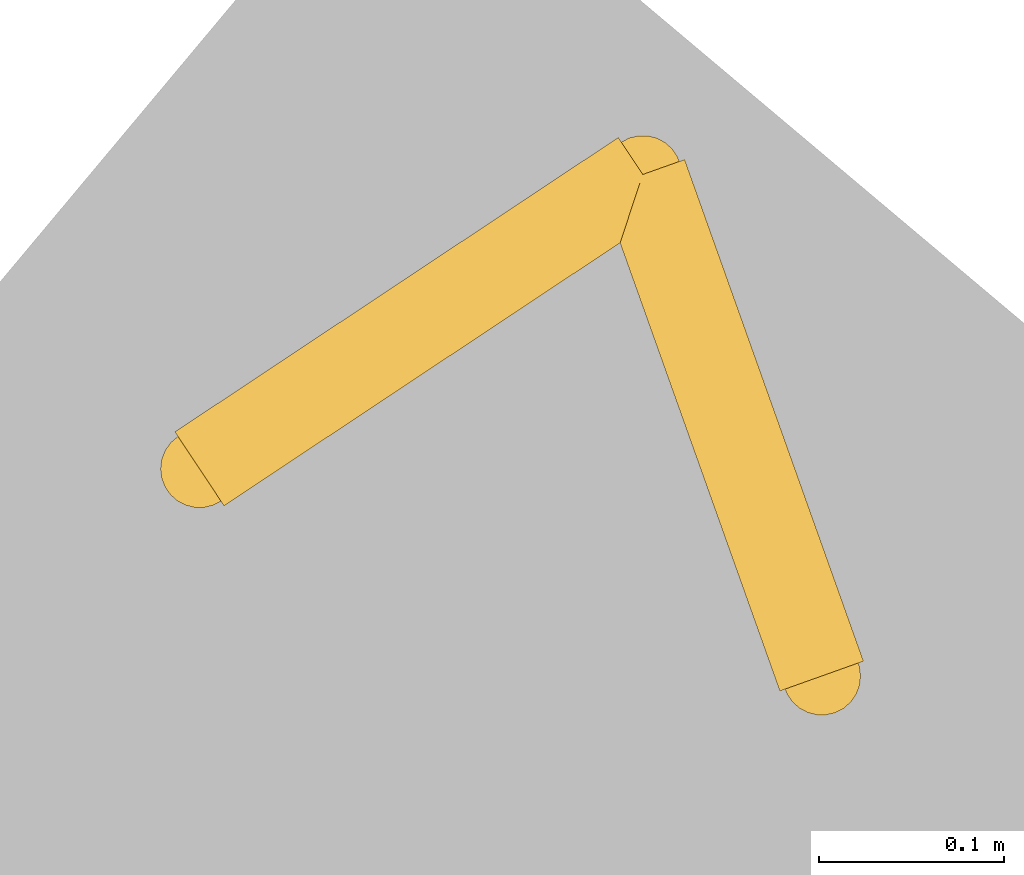
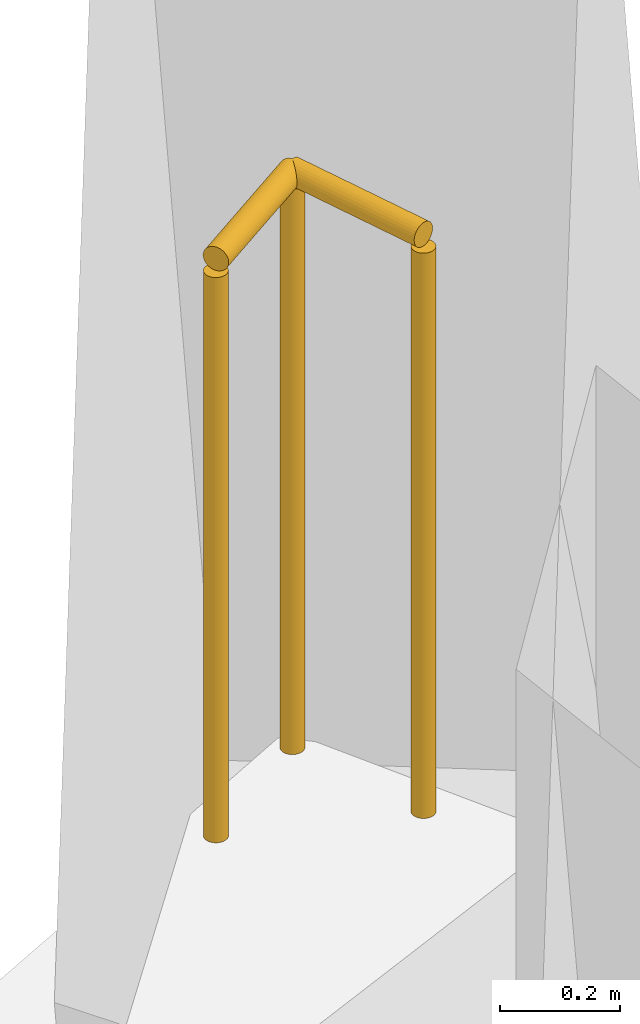
# One storey, part 16 of 16: 1 railing.
"""IFC4 building model written with IfcOpenShell, lengths in metres."""

import ifcopenshell
import ifcopenshell.guid

model = None  # the IFC model being written
_history = None  # IfcOwnerHistory: only IFC2X3 demands one
_inside = {}  # id of a spatial element -> (the spatial element, [elements in it])
_under = {}  # id of a project, library or spatial element -> (it, [spatial elements below it])
_declared = {}  # id of a project -> (the project, [libraries it declares])
_typed = {}  # id of a type object -> (the type object, [elements of that type])
_made_of = {}  # id of a material, layer set ... -> (it, [elements and type objects made of it])


def new_model(schema):
    """Start an empty IFC model of exactly this schema.

    Asked for "IFC4X3", IfcOpenShell would pick the latest addendum, in which some entities
    have other attributes; the version numbers below select the first issue.
    IFC2X3 requires an IfcOwnerHistory on every rooted entity: one is made here for all.
    """
    global model, _history
    if schema == "IFC4X3":
        model = ifcopenshell.file(schema_version=(4, 3, 0, 0))
    else:
        model = ifcopenshell.file(schema=schema)
    _inside.clear()
    _under.clear()
    _declared.clear()
    _typed.clear()
    _made_of.clear()
    _history = None
    if model.schema == "IFC2X3":
        org = make("IfcOrganization", Name="unknown")
        user = make(
            "IfcPersonAndOrganization",
            ThePerson=make("IfcPerson", FamilyName="unknown"),
            TheOrganization=org,
        )
        app = make(
            "IfcApplication",
            ApplicationDeveloper=org,
            Version="unknown",
            ApplicationFullName="unknown",
            ApplicationIdentifier="unknown",
        )
        _history = make(
            "IfcOwnerHistory",
            OwningUser=user,
            OwningApplication=app,
            ChangeAction="ADDED",
            CreationDate=0,
        )
    return model


def make(cls, **values):
    """One entity of the class cls with the attributes given. An attribute that is None is left unset."""
    return model.create_entity(
        cls, **{name: value for name, value in values.items() if value is not None}
    )


def rooted(cls, **values):
    """An entity with a GlobalId (a new one), such as an element, a storey or a relation."""
    return make(cls, GlobalId=ifcopenshell.guid.new(), OwnerHistory=_history, **values)


def si_unit(unit_type, name, prefix=None):
    """IfcSIUnit, for example si_unit("LENGTHUNIT", "METRE", prefix="MILLI")."""
    return make("IfcSIUnit", UnitType=unit_type, Prefix=prefix, Name=name)


def assignment(units):
    """IfcUnitAssignment: the units of a project."""
    return None if units is None else make("IfcUnitAssignment", Units=units)


def point(xyz):
    """IfcCartesianPoint."""
    return None if xyz is None else make("IfcCartesianPoint", Coordinates=xyz)


def direction(xyz):
    """IfcDirection."""
    return None if xyz is None else make("IfcDirection", DirectionRatios=xyz)


def frame(location, z_axis=None, x_axis=None):
    """IfcAxis2Placement3D, a coordinate frame: its origin and axes. An axis left out is left unset."""
    return make(
        "IfcAxis2Placement3D",
        Location=point(location),
        Axis=direction(z_axis),
        RefDirection=direction(x_axis),
    )


def frame_2d(location, x_axis=None):
    """IfcAxis2Placement2D, a coordinate frame in the plane: its origin and x axis."""
    return make(
        "IfcAxis2Placement2D", Location=point(location), RefDirection=direction(x_axis)
    )


def origin():
    """The frame at (0, 0, 0) with its axes left unset."""
    return frame((0.0, 0.0, 0.0))


def origin_2d():
    """The frame at (0, 0) in the plane with its x axis left unset."""
    return frame_2d((0.0, 0.0))


def place(relative_to, where):
    """IfcLocalPlacement: puts the frame where relative to a parent placement (None: the world)."""
    return make(
        "IfcLocalPlacement", PlacementRelTo=relative_to, RelativePlacement=where
    )


def context(
    kind, dimensions, precision=None, world=None, true_north=None, identifier=None
):
    """IfcGeometricRepresentationContext, for example the 3D "Model" context."""
    return make(
        "IfcGeometricRepresentationContext",
        ContextIdentifier=identifier,
        ContextType=kind,
        CoordinateSpaceDimension=dimensions,
        Precision=precision,
        WorldCoordinateSystem=world,
        TrueNorth=true_north,
    )


def subcontext(parent, identifier, kind, view, scale=None):
    """IfcGeometricRepresentationSubContext, for example "Body" below "Model"."""
    return make(
        "IfcGeometricRepresentationSubContext",
        ContextIdentifier=identifier,
        ContextType=kind,
        ParentContext=parent,
        TargetScale=scale,
        TargetView=view,
    )


def project(units=None, contexts=None):
    """IfcProject with its units and contexts."""
    return rooted(
        "IfcProject",
        Name="project",
        RepresentationContexts=contexts,
        UnitsInContext=assignment(units),
    )


def spatial(cls, under=None, at=None, **own):
    """A site, building, storey or space (cls), placed at a placement, below another one or the project."""
    s = rooted(cls, ObjectPlacement=at, **own)
    if under is not None:
        _under.setdefault(under.id(), (under, []))[1].append(s)
    return s


def profile(cls, at=None, kind="AREA", **sizes):
    """A parametric profile (cls). Its sizes go by their IFC names, for example OverallWidth=200.0."""
    return make(cls, ProfileType=kind, Position=at, **sizes)


def circle(**sizes):
    """IfcCircleProfileDef."""
    return profile("IfcCircleProfileDef", **sizes)


def extrude(swept, where, along, depth):
    """IfcExtrudedAreaSolid: the profile swept, set in the frame where, extruded along a direction by depth."""
    return make(
        "IfcExtrudedAreaSolid",
        SweptArea=swept,
        Position=where,
        ExtrudedDirection=direction(along),
        Depth=depth,
    )


def shape(context_of_items, identifier, shape_type, items):
    """IfcShapeRepresentation: the items that make up one representation, for example the "Body"."""
    return make(
        "IfcShapeRepresentation",
        ContextOfItems=context_of_items,
        RepresentationIdentifier=identifier,
        RepresentationType=shape_type,
        Items=items,
    )


def material(Name=None, Category=None):
    """IfcMaterial."""
    return make("IfcMaterial", Name=Name, Category=Category)


def layer(
    of_material, thickness, ventilated=None, Name=None, Category=None, Priority=None
):
    """IfcMaterialLayer: one layer of a wall or slab, of a material (None: an air gap)."""
    return make(
        "IfcMaterialLayer",
        Material=of_material,
        LayerThickness=thickness,
        IsVentilated=ventilated,
        Name=Name,
        Category=Category,
        Priority=Priority,
    )


def layer_set(layers, Name=None):
    """IfcMaterialLayerSet."""
    return make("IfcMaterialLayerSet", MaterialLayers=layers, LayerSetName=Name)


def made_of(thing, what):
    """Note that an element or type object is made of a material, layer set ...; save() writes the relation."""
    if what is not None:
        _made_of.setdefault(what.id(), (what, []))[1].append(thing)
    return thing


def type_object(cls, material=None, **own):
    """A type object (cls), such as IfcWallType, which elements share."""
    return made_of(rooted(cls, **own), material)


def element(
    cls,
    number,
    at=None,
    inside=None,
    cuts=None,
    type_object=None,
    material=None,
    context=None,
    identifier="Body",
    shape_type=None,
    held_by="IfcProductDefinitionShape",
    body=None,
    shapes=None,
    **own,
):
    """One element of the class cls, such as IfcWall. Its Tag is "e" and its number.

    at: its placement. inside: the storey or other place that contains it. cuts: it is an
    opening in that element (IfcRelVoidsElement). A single representation is given by context,
    identifier, shape_type and body (its items); several are given by shapes. held_by: the class
    of the entity that holds the representations. save() writes the other relations.
    """
    e = rooted(cls, Tag="e%d" % number, ObjectPlacement=at, **own)
    if body is not None:
        shapes = [shape(context, identifier, shape_type, body)]
    if shapes is not None:
        e.Representation = make(held_by, Representations=shapes)
    if inside is not None:
        _inside.setdefault(inside.id(), (inside, []))[1].append(e)
    if cuts is not None:
        rooted(
            "IfcRelVoidsElement", RelatingBuildingElement=cuts, RelatedOpeningElement=e
        )
    if type_object is not None:
        _typed.setdefault(type_object.id(), (type_object, []))[1].append(e)
    return made_of(e, material)


def aggregate(whole, parts):
    """IfcRelAggregates: a whole, such as a stair, and the parts it consists of."""
    return rooted("IfcRelAggregates", RelatingObject=whole, RelatedObjects=parts)


def save(model, path):
    """Write the relations noted so far, then the file.

    IfcRelAggregates (storeys below a building ...), IfcRelContainedInSpatialStructure (elements
    in a storey), IfcRelDefinesByType, IfcRelAssociatesMaterial and IfcRelDeclares: one each for
    every whole, place, type object, material and project.
    """
    for whole, parts in _under.values():
        aggregate(whole, parts)
    for where, things in _inside.values():
        rooted(
            "IfcRelContainedInSpatialStructure",
            RelatedElements=things,
            RelatingStructure=where,
        )
    for kind, things in _typed.values():
        rooted("IfcRelDefinesByType", RelatedObjects=things, RelatingType=kind)
    for what, things in _made_of.values():
        rooted("IfcRelAssociatesMaterial", RelatedObjects=things, RelatingMaterial=what)
    for by, libraries in _declared.values():
        rooted("IfcRelDeclares", RelatingContext=by, RelatedDefinitions=libraries)
    model.write(path)


model = new_model("IFC4")

# Units and contexts
model_context = context("Model", 3, precision=1e-05, world=origin(), true_north=direction((0.0, 1.0)))
body_context = subcontext(model_context, "Body", "Model", "MODEL_VIEW")
ifc_project = project(units=[si_unit("LENGTHUNIT", "METRE"), si_unit("AREAUNIT", "SQUARE_METRE"), si_unit("VOLUMEUNIT", "CUBIC_METRE"), si_unit("PLANEANGLEUNIT", "RADIAN"), si_unit("MASSUNIT", "GRAM", prefix="KILO")], contexts=[model_context])

# Site, building, storey
site_placement = place(None, origin())
site = spatial("IfcSite", under=ifc_project, at=site_placement, CompositionType="ELEMENT")
building_placement = place(site_placement, origin())
building = spatial("IfcBuilding", under=site, at=building_placement, Name="Gaonmaruhae Medical Tower", CompositionType="ELEMENT")
storey_placement = place(building_placement, frame((0.0, 0.0, 136.39990234375)))
storey = spatial("IfcBuildingStorey", under=building, at=storey_placement, Name="L32", CompositionType="ELEMENT", Elevation=136.39990234375)

# Railing
ifc_material = material(Name="Stainless steel 316L and laminated safety glass", Category="steel")
ifc_layer = layer(ifc_material, 0.080078125)
ifc_layer_set = layer_set([ifc_layer], Name="Stainless steel 316L and laminated safety glass")
railing_type = type_object("IfcRailingType", Name="GD-120 Outdoor Terrace Safety Glass & Steel Balustrade", PredefinedType="BALUSTRADE", material=ifc_layer_set)
railing_placement = place(storey_placement, frame((53.106689453125, 33.59521484375, 0.0)))
element("IfcRailing", 1, at=railing_placement, inside=storey, type_object=railing_type, Name="L32 Perimeter Corner Safety Balustrade 11", PredefinedType="BALUSTRADE", context=body_context, shape_type="SweptSolid", body=[
    extrude(circle(Radius=0.02392578125, at=origin_2d()), frame((0.0, 0.0, 1.17578125), z_axis=(0.833096154523, 0.553128192482, 0.0), x_axis=(-0.553128192482, 0.833096154523, 0.0)), (0.0, 0.0, 1.0), 0.286865234375),
    extrude(circle(Radius=0.02392578125, at=origin_2d()), frame((0.239013671875, 0.15869140625, 1.17578125), z_axis=(0.3357978038, -0.941934092685, 0.0), x_axis=(0.941934092685, 0.3357978038, 0.0)), (0.0, 0.0, 1.0), 0.287109375),
    extrude(circle(Radius=0.02099609375, at=origin_2d()), origin(), (0.0, 0.0, 1.0), 1.15185546875),
    extrude(circle(Radius=0.02099609375, at=origin_2d()), frame((0.239013671875, 0.15869140625, 0.0)), (0.0, 0.0, 1.0), 1.15185546875),
    extrude(circle(Radius=0.02099609375, at=origin_2d()), frame((0.33544921875, -0.11181640625, 0.0)), (0.0, 0.0, 1.0), 1.15185546875),
])

save(model, "model.ifc")
